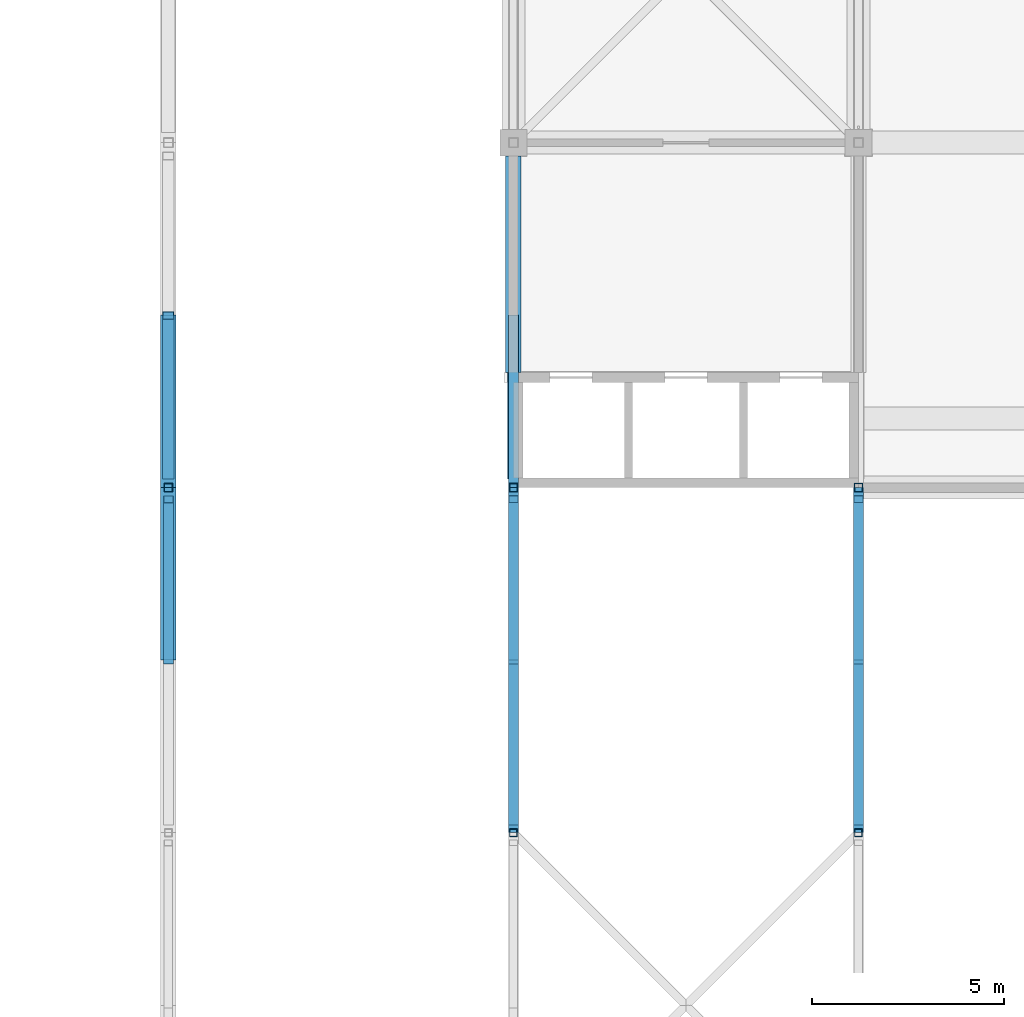
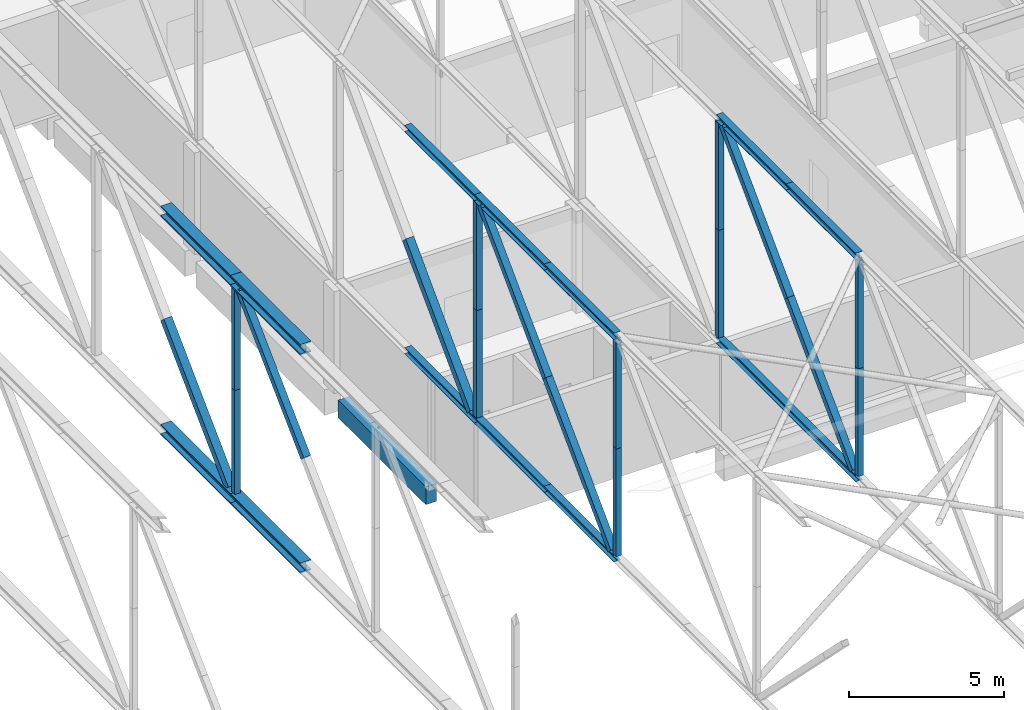
# One storey, part 74 of 646: 31 members, 1 beam.
"""IFC4 building model written with IfcOpenShell, lengths in metres."""

from ifc_helpers import new_model, si_unit, direction, frame, origin, origin_2d, place, context, subcontext, project, spatial, rectangle, hollow_rectangle, i_section, extrude, material, material_profile, profile_set, type_object, element, save


model = new_model("IFC4")

# Units and contexts
model_context = context("Model", 3, precision=1e-05, world=origin(), true_north=direction((0.0, 1.0)))
body_context = subcontext(model_context, "Body", "Model", "MODEL_VIEW")
ifc_project = project(units=[si_unit("LENGTHUNIT", "METRE"), si_unit("AREAUNIT", "SQUARE_METRE"), si_unit("VOLUMEUNIT", "CUBIC_METRE"), si_unit("PLANEANGLEUNIT", "RADIAN"), si_unit("MASSUNIT", "GRAM", prefix="KILO")], contexts=[model_context])

# Site, building, storey
site_placement = place(None, origin())
site = spatial("IfcSite", under=ifc_project, at=site_placement, CompositionType="ELEMENT")
building_placement = place(site_placement, origin())
building = spatial("IfcBuilding", under=site, at=building_placement, Name="Silverbay Arena", CompositionType="ELEMENT")
storey_placement = place(building_placement, frame((0.0, 0.0, 33.5)))
storey = spatial("IfcBuildingStorey", under=building, at=storey_placement, Name="L05", CompositionType="ELEMENT", Elevation=33.5)

# Members
ifc_material_1 = material(Name="Steel S355", Category="steel")
ifc_material_profile_1 = material_profile(ifc_material_1, i_section(OverallWidth=0.403076171875, OverallDepth=0.406494140625, WebThickness=0.026611328125, FlangeThickness=0.04296875, at=origin_2d()), Name="UC 356x406x340")
ifc_profile_set_1 = profile_set([ifc_material_profile_1], Name="Steel S355")
member_type_1 = type_object("IfcMemberType", Name="Main-span bottom chord UC 356x406x340", PredefinedType="CHORD", material=ifc_profile_set_1)
for number, where, z_axis, x_axis, name in (
    (1, (153.0, 94.5, 4.203125), (0.0, 1.0, 0.0), (-1.0, 0.0, 0.0), "ROOF TRUSS 18 bottom chord 10b"),
    (2, (153.0, 99.0, 4.203125), (0.0, 1.0, 0.0), (-1.0, 0.0, 0.0), "ROOF TRUSS 18 bottom chord 11a"),
):
    element("IfcMember", number, at=place(storey_placement, frame(where, z_axis=z_axis, x_axis=x_axis)), inside=storey, type_object=member_type_1, Name=name, PredefinedType="CHORD", context=body_context, shape_type="SweptSolid", body=[
        extrude(i_section(OverallWidth=0.403076171875, OverallDepth=0.406494140625, WebThickness=0.026611328125, FlangeThickness=0.04296875, at=origin_2d()), origin(), (0.0, 0.0, 1.0), 4.5),
    ])
ifc_material_2 = material(Name="Steel S355", Category="steel")
ifc_material_profile_2 = material_profile(ifc_material_2, i_section(OverallWidth=0.403076171875, OverallDepth=0.406494140625, WebThickness=0.026611328125, FlangeThickness=0.04296875, at=origin_2d()), Name="UC 356x406x340")
ifc_profile_set_2 = profile_set([ifc_material_profile_2], Name="Steel S355")
member_type_2 = type_object("IfcMemberType", Name="Main-span top chord UC 356x406x340", PredefinedType="CHORD", material=ifc_profile_set_2)
member_1_placement = place(storey_placement, frame((153.0, 99.0, 12.796875), z_axis=(0.0, 1.0, 0.0), x_axis=(-1.0, 0.0, 0.0)))
element("IfcMember", 3, at=member_1_placement, inside=storey, type_object=member_type_2, Name="ROOF TRUSS 18 top chord 11a", PredefinedType="CHORD", context=body_context, shape_type="SweptSolid", body=[
    extrude(i_section(OverallWidth=0.403076171875, OverallDepth=0.406494140625, WebThickness=0.026611328125, FlangeThickness=0.04296875, at=origin_2d()), origin(), (0.0, 0.0, 1.0), 4.5),
])
ifc_material_3 = material(Name="Steel S355", Category="steel")
ifc_material_profile_3 = material_profile(ifc_material_3, i_section(OverallWidth=0.406982421875, OverallDepth=0.4189453125, WebThickness=0.030517578125, FlangeThickness=0.04931640625, at=origin_2d()), Name="UC 356x406x393")
ifc_profile_set_3 = profile_set([ifc_material_profile_3], Name="Steel S355")
member_type_3 = type_object("IfcMemberType", Name="Main-span top chord UC 356x406x393", PredefinedType="CHORD", material=ifc_profile_set_3)
member_2_placement = place(storey_placement, frame((153.0, 94.5, 12.79052734375), z_axis=(0.0, 1.0, 0.0), x_axis=(-1.0, 0.0, 0.0)))
element("IfcMember", 4, at=member_2_placement, inside=storey, type_object=member_type_3, Name="ROOF TRUSS 18 top chord 10b", PredefinedType="CHORD", context=body_context, shape_type="SweptSolid", body=[
    extrude(i_section(OverallWidth=0.406982421875, OverallDepth=0.4189453125, WebThickness=0.030517578125, FlangeThickness=0.04931640625, at=origin_2d()), origin(), (0.0, 0.0, 1.0), 4.5),
])
ifc_material_4 = material(Name="Steel S355", Category="steel")
ifc_material_profile_4 = material_profile(ifc_material_4, hollow_rectangle(XDim=0.260009765625, YDim=0.260009765625, WallThickness=0.012451171875, at=origin_2d()), Name="SHS 260x260x12.5")
ifc_profile_set_4 = profile_set([ifc_material_profile_4], Name="Steel S355")
member_type_4 = type_object("IfcMemberType", Name="Main-span truss diagonal SHS 260x260x12.5", PredefinedType="BRACE", material=ifc_profile_set_4)
member_3_placement = place(storey_placement, frame((153.0, 98.696533203125, 12.5810546875), z_axis=(0.0, -0.716765314206, -0.697314480239), x_axis=(1.0, 0.0, 0.0)))
element("IfcMember", 5, at=member_3_placement, inside=storey, type_object=member_type_4, Name="ROOF TRUSS 18 diagonal 10a", PredefinedType="BRACE", context=body_context, shape_type="SweptSolid", body=[
    extrude(hollow_rectangle(XDim=0.260009765625, YDim=0.260009765625, WallThickness=0.012451171875, at=origin_2d()), origin(), (0.0, 0.0, 1.0), 5.861572265625),
])
ifc_material_5 = material(Name="Steel S355", Category="steel")
ifc_material_profile_5 = material_profile(ifc_material_5, hollow_rectangle(XDim=0.300048828125, YDim=0.300048828125, WallThickness=0.012451171875, at=origin_2d()), Name="SHS 300x300x12.5")
ifc_profile_set_5 = profile_set([ifc_material_profile_5], Name="Steel S355")
member_type_5 = type_object("IfcMemberType", Name="Main-span truss diagonal SHS 300x300x12.5", PredefinedType="BRACE", material=ifc_profile_set_5)
member_4_placement = place(storey_placement, frame((153.0, 103.492431640625, 8.5), z_axis=(0.0, -0.71273186468, -0.701436589487), x_axis=(1.0, 0.0, 0.0)))
element("IfcMember", 6, at=member_4_placement, inside=storey, type_object=member_type_5, Name="ROOF TRUSS 18 diagonal 11b", PredefinedType="BRACE", context=body_context, shape_type="SweptSolid", body=[
    extrude(hollow_rectangle(XDim=0.300048828125, YDim=0.300048828125, WallThickness=0.012451171875, at=origin_2d()), origin(), (0.0, 0.0, 1.0), 5.8359375),
])
ifc_material_6 = material(Name="Steel S355", Category="steel")
ifc_material_profile_6 = material_profile(ifc_material_6, hollow_rectangle(XDim=0.219970703125, YDim=0.219970703125, WallThickness=0.008056640625, at=origin_2d()), Name="SHS 220x220x8")
ifc_profile_set_6 = profile_set([ifc_material_profile_6], Name="Steel S355")
member_type_6 = type_object("IfcMemberType", Name="Main-span truss vertical SHS 220x220x8", PredefinedType="STRUT", material=ifc_profile_set_6)
member_5_placement = place(storey_placement, frame((153.0, 99.0, 4.406494140625), z_axis=(0.0, 0.0, 1.0), x_axis=(1.0, 0.0, 0.0)))
element("IfcMember", 7, at=member_5_placement, inside=storey, type_object=member_type_6, Name="ROOF TRUSS 18 vertical 11a", PredefinedType="STRUT", context=body_context, shape_type="SweptSolid", body=[
    extrude(hollow_rectangle(XDim=0.219970703125, YDim=0.219970703125, WallThickness=0.008056640625, at=origin_2d()), origin(), (0.0, 0.0, 1.0), 4.087158203125),
])
member_6_placement = place(storey_placement, frame((153.0, 99.0, 8.49365234375), z_axis=(0.0, 0.0, 1.0), x_axis=(1.0, 0.0, 0.0)))
element("IfcMember", 8, at=member_6_placement, inside=storey, type_object=member_type_6, Name="ROOF TRUSS 18 vertical 11b", PredefinedType="STRUT", context=body_context, shape_type="SweptSolid", body=[
    extrude(hollow_rectangle(XDim=0.219970703125, YDim=0.219970703125, WallThickness=0.008056640625, at=origin_2d()), origin(), (0.0, 0.0, 1.0), 4.08740234375),
])
ifc_material_7 = material(Name="Steel S355", Category="steel")
ifc_material_profile_7 = material_profile(ifc_material_7, i_section(OverallWidth=0.254638671875, OverallDepth=0.254150390625, WebThickness=0.008544921875, FlangeThickness=0.01416015625, at=origin_2d()), Name="UC 254x254x73")
ifc_profile_set_7 = profile_set([ifc_material_profile_7], Name="Steel S355")
member_type_7 = type_object("IfcMemberType", Name="Medium-span bottom chord UC 254x254x73", PredefinedType="CHORD", material=ifc_profile_set_7)
for number, where, z_axis, x_axis, name in (
    (9, (162.0, 90.0, 4.126953125), (0.0, 1.0, 0.0), (-1.0, 0.0, 0.0), "ROOF TRUSS 19 bottom chord 10a"),
    (10, (162.0, 94.5, 4.126953125), (0.0, 1.0, 0.0), (-1.0, 0.0, 0.0), "ROOF TRUSS 19 bottom chord 10b"),
    (11, (162.0, 99.0, 4.126953125), (0.0, 1.0, 0.0), (-1.0, 0.0, 0.0), "ROOF TRUSS 19 bottom chord 11a"),
    (12, (171.0, 90.0, 4.126953125), (0.0, 1.0, 0.0), (-1.0, 0.0, 0.0), "ROOF TRUSS 20 bottom chord 10a"),
    (13, (171.0, 94.5, 4.126953125), (0.0, 1.0, 0.0), (-1.0, 0.0, 0.0), "ROOF TRUSS 20 bottom chord 10b"),
):
    element("IfcMember", number, at=place(storey_placement, frame(where, z_axis=z_axis, x_axis=x_axis)), inside=storey, type_object=member_type_7, Name=name, PredefinedType="CHORD", context=body_context, shape_type="SweptSolid", body=[
        extrude(i_section(OverallWidth=0.254638671875, OverallDepth=0.254150390625, WebThickness=0.008544921875, FlangeThickness=0.01416015625, at=origin_2d()), origin(), (0.0, 0.0, 1.0), 4.5),
    ])
ifc_material_8 = material(Name="Steel S355", Category="steel")
ifc_material_profile_8 = material_profile(ifc_material_8, i_section(OverallWidth=0.2587890625, OverallDepth=0.2666015625, WebThickness=0.0126953125, FlangeThickness=0.0205078125, at=origin_2d()), Name="UC 254x254x107")
ifc_profile_set_8 = profile_set([ifc_material_profile_8], Name="Steel S355")
member_type_8 = type_object("IfcMemberType", Name="Medium-span top chord UC 254x254x107", PredefinedType="CHORD", material=ifc_profile_set_8)
for number, where, z_axis, x_axis, name in (
    (14, (162.0, 90.0, 12.86669921875), (0.0, 1.0, 0.0), (-1.0, 0.0, 0.0), "ROOF TRUSS 19 top chord 10a"),
    (15, (162.0, 94.5, 12.86669921875), (0.0, 1.0, 0.0), (-1.0, 0.0, 0.0), "ROOF TRUSS 19 top chord 10b"),
    (16, (171.0, 90.0, 12.86669921875), (0.0, 1.0, 0.0), (-1.0, 0.0, 0.0), "ROOF TRUSS 20 top chord 10a"),
    (17, (171.0, 94.5, 12.86669921875), (0.0, 1.0, 0.0), (-1.0, 0.0, 0.0), "ROOF TRUSS 20 top chord 10b"),
):
    element("IfcMember", number, at=place(storey_placement, frame(where, z_axis=z_axis, x_axis=x_axis)), inside=storey, type_object=member_type_8, Name=name, PredefinedType="CHORD", context=body_context, shape_type="SweptSolid", body=[
        extrude(i_section(OverallWidth=0.2587890625, OverallDepth=0.2666015625, WebThickness=0.0126953125, FlangeThickness=0.0205078125, at=origin_2d()), origin(), (0.0, 0.0, 1.0), 4.5),
    ])
ifc_material_9 = material(Name="Steel S355", Category="steel")
ifc_material_profile_9 = material_profile(ifc_material_9, i_section(OverallWidth=0.254638671875, OverallDepth=0.254150390625, WebThickness=0.008544921875, FlangeThickness=0.01416015625, at=origin_2d()), Name="UC 254x254x73")
ifc_profile_set_9 = profile_set([ifc_material_profile_9], Name="Steel S355")
member_type_9 = type_object("IfcMemberType", Name="Medium-span top chord UC 254x254x73", PredefinedType="CHORD", material=ifc_profile_set_9)
member_7_placement = place(storey_placement, frame((162.0, 99.0, 12.873046875), z_axis=(0.0, 1.0, 0.0), x_axis=(-1.0, 0.0, 0.0)))
element("IfcMember", 18, at=member_7_placement, inside=storey, type_object=member_type_9, Name="ROOF TRUSS 19 top chord 11a", PredefinedType="CHORD", context=body_context, shape_type="SweptSolid", body=[
    extrude(i_section(OverallWidth=0.254638671875, OverallDepth=0.254150390625, WebThickness=0.008544921875, FlangeThickness=0.01416015625, at=origin_2d()), origin(), (0.0, 0.0, 1.0), 4.5),
])
ifc_material_10 = material(Name="Steel S355", Category="steel")
ifc_material_profile_10 = material_profile(ifc_material_10, hollow_rectangle(XDim=0.260009765625, YDim=0.260009765625, WallThickness=0.010009765625, at=origin_2d()), Name="SHS 260x260x10")
ifc_profile_set_10 = profile_set([ifc_material_profile_10], Name="Steel S355")
member_type_10 = type_object("IfcMemberType", Name="Medium-span truss diagonal SHS 260x260x10", PredefinedType="BRACE", material=ifc_profile_set_10)
for number, where, z_axis, x_axis, name in (
    (19, (162.0, 98.700439453125, 12.7333984375), (0.0, -0.704218618707, -0.709983194918), (1.0, 0.0, 0.0), "ROOF TRUSS 19 diagonal 10a"),
    (20, (162.0, 94.4951171875, 8.49365234375), (0.0, -0.704259667026, -0.709942477529), (1.0, 0.0, 0.0), "ROOF TRUSS 19 diagonal 10b"),
    (21, (171.0, 98.700439453125, 12.7333984375), (0.0, -0.704218618707, -0.709983194918), (1.0, 0.0, 0.0), "ROOF TRUSS 20 diagonal 10a"),
    (22, (171.0, 94.4951171875, 8.49365234375), (0.0, -0.704259667026, -0.709942477529), (1.0, 0.0, 0.0), "ROOF TRUSS 20 diagonal 10b"),
):
    element("IfcMember", number, at=place(storey_placement, frame(where, z_axis=z_axis, x_axis=x_axis)), inside=storey, type_object=member_type_10, Name=name, PredefinedType="BRACE", context=body_context, shape_type="SweptSolid", body=[
        extrude(hollow_rectangle(XDim=0.260009765625, YDim=0.260009765625, WallThickness=0.010009765625, at=origin_2d()), origin(), (0.0, 0.0, 1.0), 5.9716796875),
    ])
ifc_material_11 = material(Name="Steel S355", Category="steel")
ifc_material_profile_11 = material_profile(ifc_material_11, hollow_rectangle(XDim=0.300048828125, YDim=0.300048828125, WallThickness=0.012451171875, at=origin_2d()), Name="SHS 300x300x12.5")
ifc_profile_set_11 = profile_set([ifc_material_profile_11], Name="Steel S355")
member_type_11 = type_object("IfcMemberType", Name="Medium-span truss diagonal SHS 300x300x12.5", PredefinedType="BRACE", material=ifc_profile_set_11)
member_8_placement = place(storey_placement, frame((162.0, 103.492431640625, 8.5), z_axis=(0.0, -0.700176070598, -0.713970216579), x_axis=(1.0, 0.0, 0.0)))
element("IfcMember", 23, at=member_8_placement, inside=storey, type_object=member_type_11, Name="ROOF TRUSS 19 diagonal 11b", PredefinedType="BRACE", context=body_context, shape_type="SweptSolid", body=[
    extrude(hollow_rectangle(XDim=0.300048828125, YDim=0.300048828125, WallThickness=0.012451171875, at=origin_2d()), origin(), (0.0, 0.0, 1.0), 5.94677734375),
])
ifc_material_12 = material(Name="Steel S355", Category="steel")
ifc_material_profile_12 = material_profile(ifc_material_12, hollow_rectangle(XDim=0.199951171875, YDim=0.199951171875, WallThickness=0.008056640625, at=origin_2d()), Name="SHS 200x200x8")
ifc_profile_set_12 = profile_set([ifc_material_profile_12], Name="Steel S355")
member_type_12 = type_object("IfcMemberType", Name="Medium-span truss vertical SHS 200x200x8", PredefinedType="STRUT", material=ifc_profile_set_12)
member_9_placement = place(storey_placement, frame((162.0, 90.0, 4.254150390625), z_axis=(0.0, 0.0, 1.0), x_axis=(1.0, 0.0, 0.0)))
element("IfcMember", 24, at=member_9_placement, inside=storey, type_object=member_type_12, Name="ROOF TRUSS 19 vertical 10a", PredefinedType="STRUT", context=body_context, shape_type="SweptSolid", body=[
    extrude(hollow_rectangle(XDim=0.199951171875, YDim=0.199951171875, WallThickness=0.008056640625, at=origin_2d()), origin(), (0.0, 0.0, 1.0), 4.239501953125),
])
member_10_placement = place(storey_placement, frame((162.0, 90.0, 8.49365234375), z_axis=(0.0, 0.0, 1.0), x_axis=(1.0, 0.0, 0.0)))
element("IfcMember", 25, at=member_10_placement, inside=storey, type_object=member_type_12, Name="ROOF TRUSS 19 vertical 10b", PredefinedType="STRUT", context=body_context, shape_type="SweptSolid", body=[
    extrude(hollow_rectangle(XDim=0.199951171875, YDim=0.199951171875, WallThickness=0.008056640625, at=origin_2d()), origin(), (0.0, 0.0, 1.0), 4.23974609375),
])
member_11_placement = place(storey_placement, frame((171.0, 90.0, 4.254150390625), z_axis=(0.0, 0.0, 1.0), x_axis=(1.0, 0.0, 0.0)))
element("IfcMember", 26, at=member_11_placement, inside=storey, type_object=member_type_12, Name="ROOF TRUSS 20 vertical 10a", PredefinedType="STRUT", context=body_context, shape_type="SweptSolid", body=[
    extrude(hollow_rectangle(XDim=0.199951171875, YDim=0.199951171875, WallThickness=0.008056640625, at=origin_2d()), origin(), (0.0, 0.0, 1.0), 4.239501953125),
])
member_12_placement = place(storey_placement, frame((171.0, 90.0, 8.49365234375), z_axis=(0.0, 0.0, 1.0), x_axis=(1.0, 0.0, 0.0)))
element("IfcMember", 27, at=member_12_placement, inside=storey, type_object=member_type_12, Name="ROOF TRUSS 20 vertical 10b", PredefinedType="STRUT", context=body_context, shape_type="SweptSolid", body=[
    extrude(hollow_rectangle(XDim=0.199951171875, YDim=0.199951171875, WallThickness=0.008056640625, at=origin_2d()), origin(), (0.0, 0.0, 1.0), 4.23974609375),
])
ifc_material_13 = material(Name="Steel S355", Category="steel")
ifc_material_profile_13 = material_profile(ifc_material_13, hollow_rectangle(XDim=0.219970703125, YDim=0.219970703125, WallThickness=0.008056640625, at=origin_2d()), Name="SHS 220x220x8")
ifc_profile_set_13 = profile_set([ifc_material_profile_13], Name="Steel S355")
member_type_13 = type_object("IfcMemberType", Name="Medium-span truss vertical SHS 220x220x8", PredefinedType="STRUT", material=ifc_profile_set_13)
member_13_placement = place(storey_placement, frame((162.0, 99.0, 4.254150390625), z_axis=(0.0, 0.0, 1.0), x_axis=(1.0, 0.0, 0.0)))
element("IfcMember", 28, at=member_13_placement, inside=storey, type_object=member_type_13, Name="ROOF TRUSS 19 vertical 11a", PredefinedType="STRUT", context=body_context, shape_type="SweptSolid", body=[
    extrude(hollow_rectangle(XDim=0.219970703125, YDim=0.219970703125, WallThickness=0.008056640625, at=origin_2d()), origin(), (0.0, 0.0, 1.0), 4.239501953125),
])
member_14_placement = place(storey_placement, frame((162.0, 99.0, 8.49365234375), z_axis=(0.0, 0.0, 1.0), x_axis=(1.0, 0.0, 0.0)))
element("IfcMember", 29, at=member_14_placement, inside=storey, type_object=member_type_13, Name="ROOF TRUSS 19 vertical 11b", PredefinedType="STRUT", context=body_context, shape_type="SweptSolid", body=[
    extrude(hollow_rectangle(XDim=0.219970703125, YDim=0.219970703125, WallThickness=0.008056640625, at=origin_2d()), origin(), (0.0, 0.0, 1.0), 4.23974609375),
])
member_15_placement = place(storey_placement, frame((171.0, 99.0, 4.254150390625), z_axis=(0.0, 0.0, 1.0), x_axis=(1.0, 0.0, 0.0)))
element("IfcMember", 30, at=member_15_placement, inside=storey, type_object=member_type_13, Name="ROOF TRUSS 20 vertical 11a", PredefinedType="STRUT", context=body_context, shape_type="SweptSolid", body=[
    extrude(hollow_rectangle(XDim=0.219970703125, YDim=0.219970703125, WallThickness=0.008056640625, at=origin_2d()), origin(), (0.0, 0.0, 1.0), 4.239501953125),
])
member_16_placement = place(storey_placement, frame((171.0, 99.0, 8.49365234375), z_axis=(0.0, 0.0, 1.0), x_axis=(1.0, 0.0, 0.0)))
element("IfcMember", 31, at=member_16_placement, inside=storey, type_object=member_type_13, Name="ROOF TRUSS 20 vertical 11b", PredefinedType="STRUT", context=body_context, shape_type="SweptSolid", body=[
    extrude(hollow_rectangle(XDim=0.219970703125, YDim=0.219970703125, WallThickness=0.008056640625, at=origin_2d()), origin(), (0.0, 0.0, 1.0), 4.23974609375),
])

# Beam
ifc_material_14 = material(Name="Concrete Grade C45", Category="concrete")
ifc_material_profile_14 = material_profile(ifc_material_14, rectangle(XDim=0.39990234375, YDim=0.699951171875, at=origin_2d()), Name="RC 400x700")
ifc_profile_set_14 = profile_set([ifc_material_profile_14], Name="Concrete Grade C45")
beam_type = type_object("IfcBeamType", Name="RC beam 400x700", PredefinedType="BEAM", material=ifc_profile_set_14)
beam_placement = place(storey_placement, frame((162.0, 102.0, -0.64990234375), z_axis=(0.0, 1.0, 0.0), x_axis=(-1.0, 0.0, 0.0)))
element("IfcBeam", 32, at=beam_placement, inside=storey, type_object=beam_type, Name="Floor beam L05 125", PredefinedType="BEAM", context=body_context, shape_type="SweptSolid", body=[
    extrude(rectangle(XDim=0.39990234375, YDim=0.699951171875, at=origin_2d()), origin(), (0.0, 0.0, 1.0), 5.64990234375),
])

save(model, "model.ifc")
